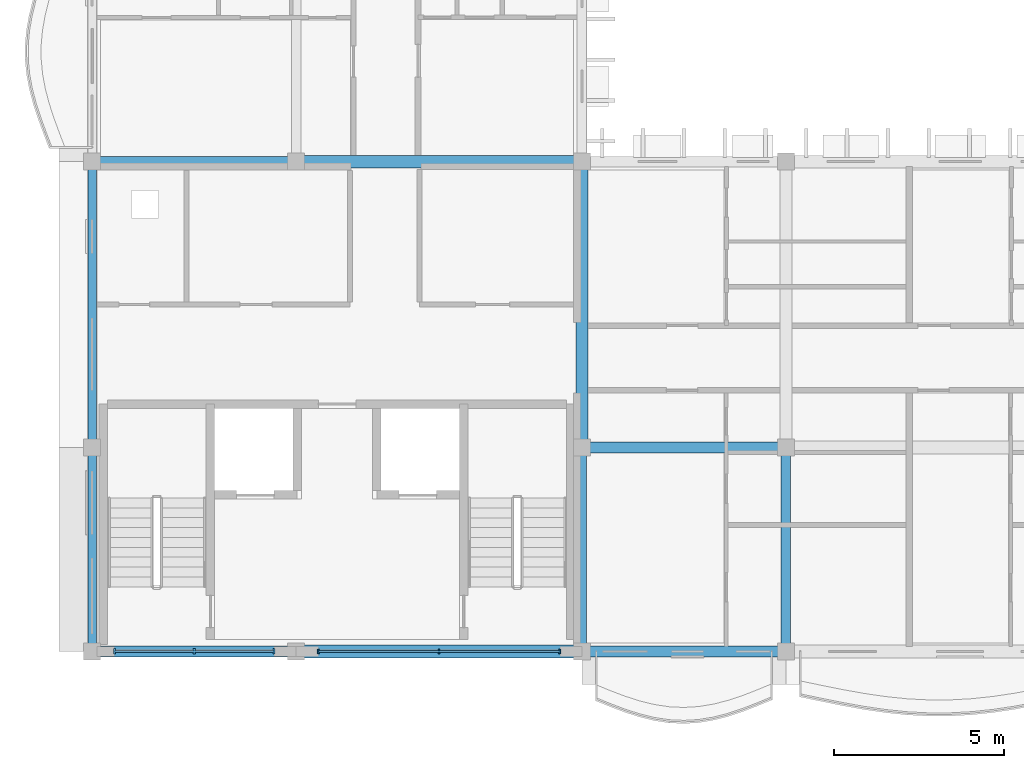
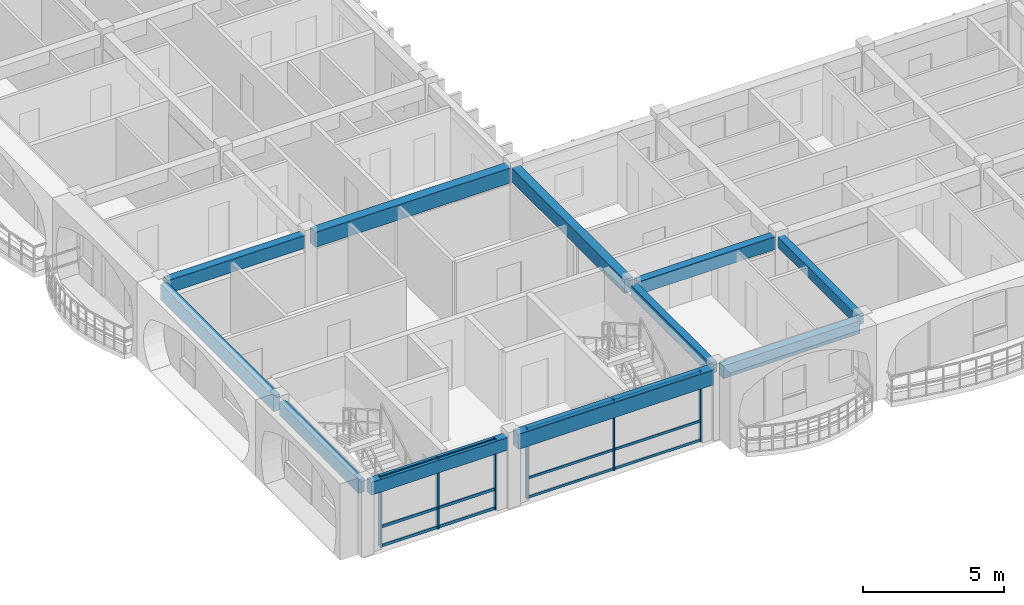
# One storey, part 3 of 66: 12 members, 11 beams, 2 elements without a shape of their own.
"""IFC4 building model written with IfcOpenShell, lengths in metres."""

from ifc_helpers import new_model, si_unit, direction, frame, origin, origin_2d, place, context, subcontext, project, spatial, rectangle, extrude, material, material_profile, profile_set, type_object, element, aggregate, save


model = new_model("IFC4")

# Units and contexts
model_context = context("Model", 3, precision=1e-05, world=origin(), true_north=direction((0.0, 1.0)))
body_context = subcontext(model_context, "Body", "Model", "MODEL_VIEW")
ifc_project = project(units=[si_unit("LENGTHUNIT", "METRE"), si_unit("AREAUNIT", "SQUARE_METRE"), si_unit("VOLUMEUNIT", "CUBIC_METRE"), si_unit("PLANEANGLEUNIT", "RADIAN"), si_unit("MASSUNIT", "GRAM", prefix="KILO"), si_unit("THERMODYNAMICTEMPERATUREUNIT", "KELVIN")], contexts=[model_context])

# Site, building, storey
site_placement = place(None, origin())
site = spatial("IfcSite", under=ifc_project, at=site_placement, CompositionType="ELEMENT")
building_placement = place(site_placement, origin())
building = spatial("IfcBuilding", under=site, at=building_placement, Name="Thalorik Housing Commons", CompositionType="ELEMENT")
storey_placement = place(building_placement, frame((0.0, 0.0, 21.300048828125)))
storey = spatial("IfcBuildingStorey", under=building, at=storey_placement, Name="L06", CompositionType="ELEMENT", Elevation=21.300048828125)

# Curtain wall, members
ifc_material_1 = material(Name="Anodised aluminium and solar-control low-E glass", Category="aluminium")
curtain_wall_type = type_object("IfcCurtainWallType", Name="ARC-CW-CORE", PredefinedType="USERDEFINED", material=ifc_material_1)
curtain_wall_1_placement = place(storey_placement, origin())
curtain_wall_1 = element("IfcCurtainWall", 1, at=curtain_wall_1_placement, inside=storey, type_object=curtain_wall_type, Name="L06 Curtain Wall CW-CORE-L06-C-154", ObjectType="CURTAIN WALL", PredefinedType="USERDEFINED")
ifc_material_2 = material(Name="Anodised aluminium 6063-T6", Category="aluminium")
ifc_material_profile_1 = material_profile(ifc_material_2, rectangle(XDim=0.054931640625, YDim=0.139892578125, at=origin_2d()), Name="ALU MUL 55x140", Category="aluminium")
ifc_profile_set_1 = profile_set([ifc_material_profile_1], Name="Anodised aluminium 6063-T6")
member_type_1 = type_object("IfcMemberType", Name="ARC-CW-MUL-55x140", PredefinedType="MULLION", material=ifc_profile_set_1)
member_1_placement = place(storey_placement, frame((15.050048828125, 8.39990234375, 0.0), z_axis=(0.0, 0.0, 1.0), x_axis=(1.0, 0.0, 0.0)))
member_1 = element("IfcMember", 2, at=member_1_placement, type_object=member_type_1, Name="CW-CORE-L06-C-154 Mullion 1", PredefinedType="MULLION", context=body_context, shape_type="SweptSolid", body=[
    extrude(rectangle(XDim=0.054931640625, YDim=0.139892578125, at=origin_2d()), origin(), (0.0, 0.0, 1.0), 3.0400390625),
])
member_2_placement = place(storey_placement, frame((18.60009765625, 8.39990234375, 0.0), z_axis=(0.0, 0.0, 1.0), x_axis=(1.0, 0.0, 0.0)))
member_2 = element("IfcMember", 3, at=member_2_placement, type_object=member_type_1, Name="CW-CORE-L06-C-154 Mullion 2", PredefinedType="MULLION", context=body_context, shape_type="SweptSolid", body=[
    extrude(rectangle(XDim=0.054931640625, YDim=0.139892578125, at=origin_2d()), origin(), (0.0, 0.0, 1.0), 3.0400390625),
])
member_3_placement = place(storey_placement, frame((22.14990234375, 8.39990234375, 0.0), z_axis=(0.0, 0.0, 1.0), x_axis=(1.0, 0.0, 0.0)))
member_3 = element("IfcMember", 4, at=member_3_placement, type_object=member_type_1, Name="CW-CORE-L06-C-154 Mullion 3", PredefinedType="MULLION", context=body_context, shape_type="SweptSolid", body=[
    extrude(rectangle(XDim=0.054931640625, YDim=0.139892578125, at=origin_2d()), origin(), (0.0, 0.0, 1.0), 3.0400390625),
])

curtain_wall_2_placement = place(storey_placement, origin())
curtain_wall_2 = element("IfcCurtainWall", 5, at=curtain_wall_2_placement, inside=storey, type_object=curtain_wall_type, Name="L06 Curtain Wall CW-CORE-L06-C-153", ObjectType="CURTAIN WALL", PredefinedType="USERDEFINED")
ifc_material_profile_2 = material_profile(ifc_material_2, rectangle(XDim=0.06005859375, YDim=0.159912109375, at=origin_2d()), Name="ALU MUL 60x160", Category="aluminium")
ifc_profile_set_2 = profile_set([ifc_material_profile_2], Name="Anodised aluminium 6063-T6")
member_type_2 = type_object("IfcMemberType", Name="ARC-CW-MUL-60x160", PredefinedType="MULLION", material=ifc_profile_set_2)
member_4_placement = place(storey_placement, frame((9.050048828125, 8.39990234375, 0.0), z_axis=(0.0, 0.0, 1.0), x_axis=(1.0, 0.0, 0.0)))
member_4 = element("IfcMember", 6, at=member_4_placement, type_object=member_type_2, Name="CW-CORE-L06-C-153 Mullion 1", PredefinedType="MULLION", context=body_context, shape_type="SweptSolid", body=[
    extrude(rectangle(XDim=0.06005859375, YDim=0.159912109375, at=origin_2d()), origin(), (0.0, 0.0, 1.0), 3.0400390625),
])
member_5_placement = place(storey_placement, frame((11.39990234375, 8.39990234375, 0.0), z_axis=(0.0, 0.0, 1.0), x_axis=(1.0, 0.0, 0.0)))
member_5 = element("IfcMember", 7, at=member_5_placement, type_object=member_type_2, Name="CW-CORE-L06-C-153 Mullion 2", PredefinedType="MULLION", context=body_context, shape_type="SweptSolid", body=[
    extrude(rectangle(XDim=0.06005859375, YDim=0.159912109375, at=origin_2d()), origin(), (0.0, 0.0, 1.0), 3.0400390625),
])
member_6_placement = place(storey_placement, frame((13.75, 8.39990234375, 0.0), z_axis=(0.0, 0.0, 1.0), x_axis=(1.0, 0.0, 0.0)))
member_6 = element("IfcMember", 8, at=member_6_placement, type_object=member_type_2, Name="CW-CORE-L06-C-153 Mullion 3", PredefinedType="MULLION", context=body_context, shape_type="SweptSolid", body=[
    extrude(rectangle(XDim=0.06005859375, YDim=0.159912109375, at=origin_2d()), origin(), (0.0, 0.0, 1.0), 3.0400390625),
])

# Member
ifc_material_profile_3 = material_profile(ifc_material_2, rectangle(XDim=0.054931640625, YDim=0.10498046875, at=origin_2d()), Name="ALU TRN 55x105", Category="aluminium")
ifc_profile_set_3 = profile_set([ifc_material_profile_3], Name="Anodised aluminium 6063-T6")
member_type_3 = type_object("IfcMemberType", Name="ARC-CW-TRN-55x105", PredefinedType="USERDEFINED", material=ifc_profile_set_3)
member_7_placement = place(storey_placement, frame((15.050048828125, 8.39990234375, 0.054931640625), z_axis=(1.0, 0.0, 0.0), x_axis=(0.0, 1.0, 0.0)))
member_7 = element("IfcMember", 9, at=member_7_placement, type_object=member_type_3, Name="CW-CORE-L06-C-154 Transom 1", ObjectType="TRANSOM", PredefinedType="USERDEFINED", context=body_context, shape_type="SweptSolid", body=[
    extrude(rectangle(XDim=0.054931640625, YDim=0.10498046875, at=origin_2d()), origin(), (0.0, 0.0, 1.0), 7.099853515625),
])

member_8_placement = place(storey_placement, frame((15.050048828125, 8.39990234375, 0.8798828125), z_axis=(1.0, 0.0, 0.0), x_axis=(0.0, 1.0, 0.0)))
member_8 = element("IfcMember", 10, at=member_8_placement, type_object=member_type_3, Name="CW-CORE-L06-C-154 Transom 2", ObjectType="TRANSOM", PredefinedType="USERDEFINED", context=body_context, shape_type="SweptSolid", body=[
    extrude(rectangle(XDim=0.054931640625, YDim=0.10498046875, at=origin_2d()), origin(), (0.0, 0.0, 1.0), 7.099853515625),
])

member_9_placement = place(storey_placement, frame((15.050048828125, 8.39990234375, 2.98486328125), z_axis=(1.0, 0.0, 0.0), x_axis=(0.0, 1.0, 0.0)))
member_9 = element("IfcMember", 11, at=member_9_placement, type_object=member_type_3, Name="CW-CORE-L06-C-154 Transom 3", ObjectType="TRANSOM", PredefinedType="USERDEFINED", context=body_context, shape_type="SweptSolid", body=[
    extrude(rectangle(XDim=0.054931640625, YDim=0.10498046875, at=origin_2d()), origin(), (0.0, 0.0, 1.0), 7.099853515625),
])

aggregate(curtain_wall_1, [member_1, member_2, member_3, member_7, member_8, member_9])

ifc_material_profile_4 = material_profile(ifc_material_2, rectangle(XDim=0.06005859375, YDim=0.1201171875, at=origin_2d()), Name="ALU TRN 60x120", Category="aluminium")
ifc_profile_set_4 = profile_set([ifc_material_profile_4], Name="Anodised aluminium 6063-T6")
member_type_4 = type_object("IfcMemberType", Name="ARC-CW-TRN-60x120", PredefinedType="USERDEFINED", material=ifc_profile_set_4)
member_10_placement = place(storey_placement, frame((9.050048828125, 8.39990234375, 0.054931640625), z_axis=(1.0, 0.0, 0.0), x_axis=(0.0, 1.0, 0.0)))
member_10 = element("IfcMember", 12, at=member_10_placement, type_object=member_type_4, Name="CW-CORE-L06-C-153 Transom 1", ObjectType="TRANSOM", PredefinedType="USERDEFINED", context=body_context, shape_type="SweptSolid", body=[
    extrude(rectangle(XDim=0.06005859375, YDim=0.1201171875, at=origin_2d()), origin(), (0.0, 0.0, 1.0), 4.699951171875),
])

member_11_placement = place(storey_placement, frame((9.050048828125, 8.39990234375, 0.8798828125), z_axis=(1.0, 0.0, 0.0), x_axis=(0.0, 1.0, 0.0)))
member_11 = element("IfcMember", 13, at=member_11_placement, type_object=member_type_4, Name="CW-CORE-L06-C-153 Transom 2", ObjectType="TRANSOM", PredefinedType="USERDEFINED", context=body_context, shape_type="SweptSolid", body=[
    extrude(rectangle(XDim=0.06005859375, YDim=0.1201171875, at=origin_2d()), origin(), (0.0, 0.0, 1.0), 4.699951171875),
])

member_12_placement = place(storey_placement, frame((9.050048828125, 8.39990234375, 2.98486328125), z_axis=(1.0, 0.0, 0.0), x_axis=(0.0, 1.0, 0.0)))
member_12 = element("IfcMember", 14, at=member_12_placement, type_object=member_type_4, Name="CW-CORE-L06-C-153 Transom 3", ObjectType="TRANSOM", PredefinedType="USERDEFINED", context=body_context, shape_type="SweptSolid", body=[
    extrude(rectangle(XDim=0.06005859375, YDim=0.1201171875, at=origin_2d()), origin(), (0.0, 0.0, 1.0), 4.699951171875),
])

aggregate(curtain_wall_2, [member_4, member_5, member_6, member_10, member_11, member_12])

# Beams
ifc_material_3 = material(Name="Precast concrete C40/50", Category="concrete")
ifc_material_profile_5 = material_profile(ifc_material_3, rectangle(XDim=0.280029296875, YDim=0.449951171875, at=origin_2d()), Name="PC 280x450", Category="concrete")
ifc_profile_set_5 = profile_set([ifc_material_profile_5], Name="Precast concrete C40/50")
beam_type_1 = type_object("IfcBeamType", Name="STR-BM-PC280x450", PredefinedType="BEAM", material=ifc_profile_set_5)
for number, where, z_axis, x_axis, name in (
    (15, (22.800048828125, 8.60009765625, 2.81494140625), (0.0, 1.0, 0.0), (-1.0, 0.0, 0.0), "L06 Beam B-450"),
    (16, (28.800048828125, 8.60009765625, 2.81494140625), (0.0, 1.0, 0.0), (-1.0, 0.0, 0.0), "L06 Beam B-450"),
):
    element("IfcBeam", number, at=place(storey_placement, frame(where, z_axis=z_axis, x_axis=x_axis)), inside=storey, type_object=beam_type_1, Name=name, PredefinedType="BEAM", context=body_context, shape_type="SweptSolid", body=[
        extrude(rectangle(XDim=0.280029296875, YDim=0.449951171875, at=origin_2d()), origin(), (0.0, 0.0, 1.0), 5.599853515625),
    ])
ifc_material_profile_6 = material_profile(ifc_material_3, rectangle(XDim=0.320068359375, YDim=0.550048828125, at=origin_2d()), Name="PC 320x550", Category="concrete")
ifc_profile_set_6 = profile_set([ifc_material_profile_6], Name="Precast concrete C40/50")
beam_type_2 = type_object("IfcBeamType", Name="STR-BM-PC320x550", PredefinedType="BEAM", material=ifc_profile_set_6)
beam_1_placement = place(storey_placement, frame((8.60009765625, 8.39990234375, 2.764892578125), z_axis=(1.0, 0.0, 0.0), x_axis=(0.0, 1.0, 0.0)))
element("IfcBeam", 17, at=beam_1_placement, inside=storey, type_object=beam_type_2, Name="L06 Beam B-550", PredefinedType="BEAM", context=body_context, shape_type="SweptSolid", body=[
    extrude(rectangle(XDim=0.320068359375, YDim=0.550048828125, at=origin_2d()), origin(), (0.0, 0.0, 1.0), 5.599853515625),
])
for number, where, z_axis, x_axis, name in (
    (18, (23.0, 8.39990234375, 2.764892578125), (1.0, 0.0, 0.0), (0.0, 1.0, 0.0), "L06 Beam B-550"),
    (19, (23.0, 14.39990234375, 2.764892578125), (1.0, 0.0, 0.0), (0.0, 1.0, 0.0), "L06 Beam B-550"),
):
    element("IfcBeam", number, at=place(storey_placement, frame(where, z_axis=z_axis, x_axis=x_axis)), inside=storey, type_object=beam_type_2, Name=name, PredefinedType="BEAM", context=body_context, shape_type="SweptSolid", body=[
        extrude(rectangle(XDim=0.320068359375, YDim=0.550048828125, at=origin_2d()), origin(), (0.0, 0.0, 1.0), 5.60009765625),
    ])
beam_2_placement = place(storey_placement, frame((8.60009765625, 22.800048828125, 2.764892578125), z_axis=(1.0, 0.0, 0.0), x_axis=(0.0, 1.0, 0.0)))
element("IfcBeam", 20, at=beam_2_placement, inside=storey, type_object=beam_type_2, Name="L06 Beam B-550", PredefinedType="BEAM", context=body_context, shape_type="SweptSolid", body=[
    extrude(rectangle(XDim=0.320068359375, YDim=0.550048828125, at=origin_2d()), origin(), (0.0, 0.0, 1.0), 5.599853515625),
])
ifc_material_profile_7 = material_profile(ifc_material_3, rectangle(XDim=0.35009765625, YDim=0.60009765625, at=origin_2d()), Name="PC 350x600", Category="concrete")
ifc_profile_set_7 = profile_set([ifc_material_profile_7], Name="Precast concrete C40/50")
beam_type_3 = type_object("IfcBeamType", Name="STR-BM-PC350x600", PredefinedType="BEAM", material=ifc_profile_set_7)
beam_3_placement = place(storey_placement, frame((22.800048828125, 14.60009765625, 2.739990234375), z_axis=(0.0, 1.0, 0.0), x_axis=(-1.0, 0.0, 0.0)))
element("IfcBeam", 21, at=beam_3_placement, inside=storey, type_object=beam_type_3, Name="L06 Beam B-600", PredefinedType="BEAM", context=body_context, shape_type="SweptSolid", body=[
    extrude(rectangle(XDim=0.35009765625, YDim=0.60009765625, at=origin_2d()), origin(), (0.0, 0.0, 1.0), 8.0),
])
ifc_material_profile_8 = material_profile(ifc_material_3, rectangle(XDim=0.3798828125, YDim=0.64990234375, at=origin_2d()), Name="PC 380x650", Category="concrete")
ifc_profile_set_8 = profile_set([ifc_material_profile_8], Name="Precast concrete C40/50")
beam_type_4 = type_object("IfcBeamType", Name="STR-BM-PC380x650", PredefinedType="BEAM", material=ifc_profile_set_8)
for number, where, z_axis, x_axis, name in (
    (22, (14.60009765625, 8.39990234375, 2.71484375), (1.0, 0.0, 0.0), (0.0, 1.0, 0.0), "L06 Beam B-650"),
    (23, (14.60009765625, 22.800048828125, 2.71484375), (1.0, 0.0, 0.0), (0.0, 1.0, 0.0), "L06 Beam B-650"),
):
    element("IfcBeam", number, at=place(storey_placement, frame(where, z_axis=z_axis, x_axis=x_axis)), inside=storey, type_object=beam_type_4, Name=name, PredefinedType="BEAM", context=body_context, shape_type="SweptSolid", body=[
        extrude(rectangle(XDim=0.3798828125, YDim=0.64990234375, at=origin_2d()), origin(), (0.0, 0.0, 1.0), 8.0),
    ])
ifc_material_profile_9 = material_profile(ifc_material_3, rectangle(XDim=0.239990234375, YDim=0.580078125, at=origin_2d()), Name="PC SP 240x580", Category="concrete")
ifc_profile_set_9 = profile_set([ifc_material_profile_9], Name="Precast concrete C40/50")
beam_type_5 = type_object("IfcBeamType", Name="STR-SP-PC240x580", PredefinedType="SPANDREL", material=ifc_profile_set_9)
beam_4_placement = place(storey_placement, frame((8.39990234375, 8.60009765625, 2.75), z_axis=(0.0, 1.0, 0.0), x_axis=(-1.0, 0.0, 0.0)))
element("IfcBeam", 24, at=beam_4_placement, inside=storey, type_object=beam_type_5, Name="L06 Beam B-450", PredefinedType="SPANDREL", context=body_context, shape_type="SweptSolid", body=[
    extrude(rectangle(XDim=0.239990234375, YDim=0.580078125, at=origin_2d()), origin(), (0.0, 0.0, 1.0), 5.599853515625),
])
ifc_material_profile_10 = material_profile(ifc_material_3, rectangle(XDim=0.260009765625, YDim=0.679931640625, at=origin_2d()), Name="PC SP 260x680", Category="concrete")
ifc_profile_set_10 = profile_set([ifc_material_profile_10], Name="Precast concrete C40/50")
beam_type_6 = type_object("IfcBeamType", Name="STR-SP-PC260x680", PredefinedType="SPANDREL", material=ifc_profile_set_10)
beam_5_placement = place(storey_placement, frame((8.39990234375, 14.60009765625, 2.699951171875), z_axis=(0.0, 1.0, 0.0), x_axis=(-1.0, 0.0, 0.0)))
element("IfcBeam", 25, at=beam_5_placement, inside=storey, type_object=beam_type_6, Name="L06 Beam B-600", PredefinedType="SPANDREL", context=body_context, shape_type="SweptSolid", body=[
    extrude(rectangle(XDim=0.260009765625, YDim=0.679931640625, at=origin_2d()), origin(), (0.0, 0.0, 1.0), 8.0),
])

save(model, "model.ifc")
